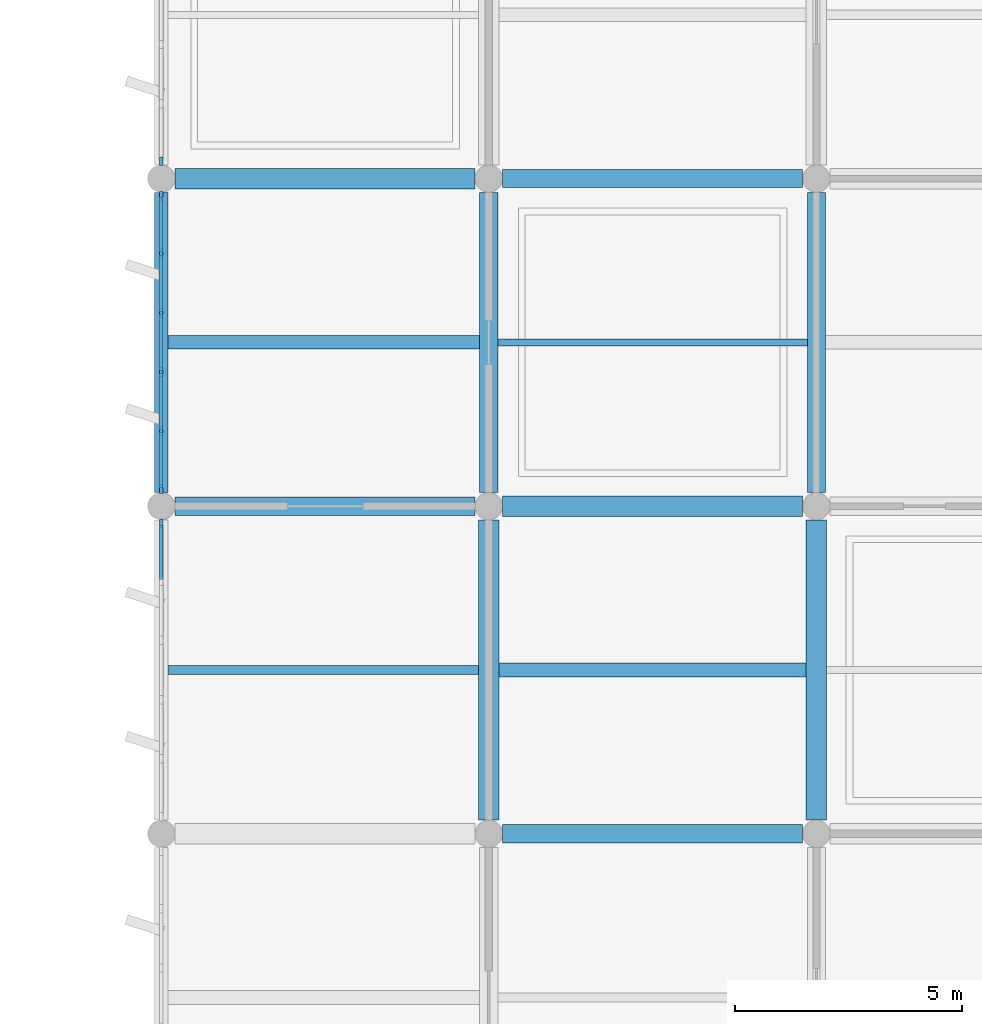
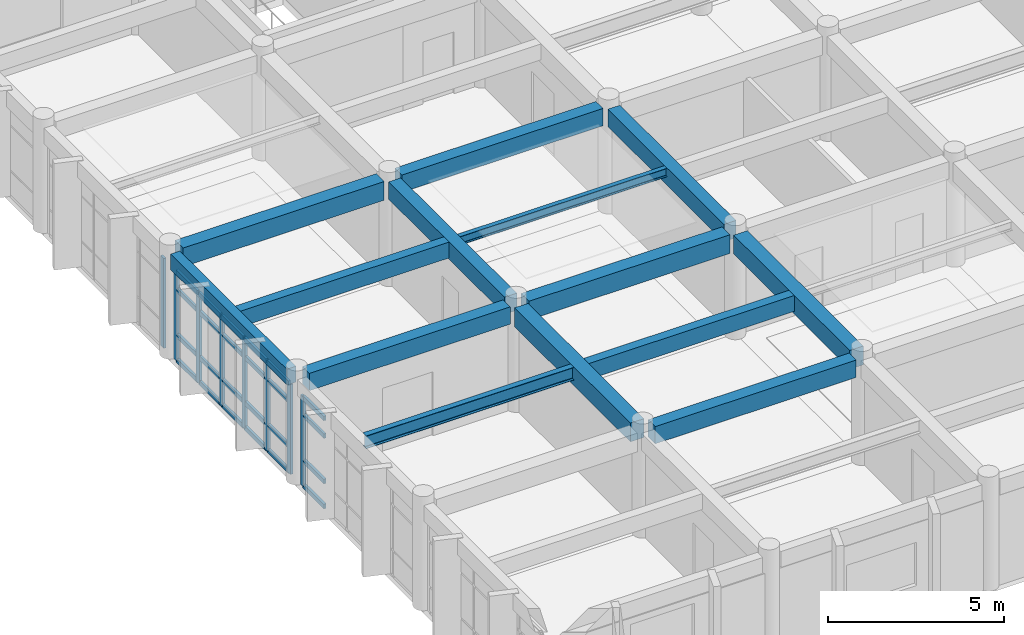
# One storey, part 3 of 16: 34 members, 12 beams, 3 elements without a shape of their own.
"""IFC4 building model written with IfcOpenShell, lengths in metres."""

from ifc_helpers import new_model, si_unit, direction, frame, origin, origin_2d, place, context, subcontext, project, spatial, rectangle, i_section, extrude, material, layer, layer_set, material_profile, profile_set, type_object, element, aggregate, save


model = new_model("IFC4")

# Units and contexts
model_context = context("Model", 3, precision=1e-05, world=origin(), true_north=direction((0.0, 1.0)))
body_context = subcontext(model_context, "Body", "Model", "MODEL_VIEW")
ifc_project = project(units=[si_unit("LENGTHUNIT", "METRE"), si_unit("AREAUNIT", "SQUARE_METRE"), si_unit("VOLUMEUNIT", "CUBIC_METRE"), si_unit("PLANEANGLEUNIT", "RADIAN"), si_unit("MASSUNIT", "GRAM", prefix="KILO")], contexts=[model_context])

# Site, building, storey
site_placement = place(None, origin())
site = spatial("IfcSite", under=ifc_project, at=site_placement, CompositionType="ELEMENT")
building_placement = place(site_placement, origin())
building = spatial("IfcBuilding", under=site, at=building_placement, Name="Kavelor Marine Aquarium", CompositionType="ELEMENT")
storey_placement = place(building_placement, frame((0.0, 0.0, 21.60009765625)))
storey = spatial("IfcBuildingStorey", under=building, at=storey_placement, Name="L05", CompositionType="ELEMENT", Elevation=21.60009765625)

# Beams
ifc_material_1 = material(Name="Concrete C40/50", Category="concrete")
ifc_material_profile_1 = material_profile(ifc_material_1, rectangle(XDim=0.449951171875, YDim=0.64990234375, at=origin_2d()), Name="RC-BM 450x650")
ifc_profile_set_1 = profile_set([ifc_material_profile_1], Name="Concrete C40/50")
beam_type_1 = type_object("IfcBeamType", Name="BM-B3", PredefinedType="BEAM", material=ifc_profile_set_1)
for number, where, z_axis, x_axis, name in (
    (1, (118.699951171875, 89.199951171875, 3.35498046875), (1.0, 0.0, 0.0), (0.0, 1.0, 0.0), "bm:x:L05:RF:16_12"),
    (2, (125.89990234375, 82.0, 3.35498046875), (1.0, 0.0, 0.0), (0.0, 1.0, 0.0), "bm:x:L05:RF:17_11"),
):
    element("IfcBeam", number, at=place(storey_placement, frame(where, z_axis=z_axis, x_axis=x_axis)), inside=storey, type_object=beam_type_1, Name=name, PredefinedType="BEAM", context=body_context, shape_type="SweptSolid", body=[
        extrude(rectangle(XDim=0.449951171875, YDim=0.64990234375, at=origin_2d()), origin(), (0.0, 0.0, 1.0), 6.60009765625),
    ])
for number, where, z_axis, x_axis, name in (
    (3, (125.60009765625, 75.10009765625, 3.35498046875), (0.0, 1.0, 0.0), (-1.0, 0.0, 0.0), "bm:y:L05:RF:17_10"),
    (4, (132.800048828125, 75.10009765625, 3.35498046875), (0.0, 1.0, 0.0), (-1.0, 0.0, 0.0), "bm:y:L05:RF:18_10"),
):
    element("IfcBeam", number, at=place(storey_placement, frame(where, z_axis=z_axis, x_axis=x_axis)), inside=storey, type_object=beam_type_1, Name=name, PredefinedType="BEAM", context=body_context, shape_type="SweptSolid", body=[
        extrude(rectangle(XDim=0.449951171875, YDim=0.64990234375, at=origin_2d()), origin(), (0.0, 0.0, 1.0), 6.599853515625),
    ])
ifc_material_2 = material(Name="Concrete C40/50", Category="concrete")
ifc_material_profile_2 = material_profile(ifc_material_2, rectangle(XDim=0.39990234375, YDim=0.60009765625, at=origin_2d()), Name="RC-BM 400x600")
ifc_profile_set_2 = profile_set([ifc_material_profile_2], Name="Concrete C40/50")
beam_type_2 = type_object("IfcBeamType", Name="BM-B4", PredefinedType="BEAM", material=ifc_profile_set_2)
for number, where, z_axis, x_axis, name in (
    (5, (118.699951171875, 82.0, 3.3798828125), (1.0, 0.0, 0.0), (0.0, 1.0, 0.0), "bm:x:L05:RF:16_11"),
    (6, (125.89990234375, 74.800048828125, 3.3798828125), (1.0, 0.0, 0.0), (0.0, 1.0, 0.0), "bm:x:L05:RF:17_10"),
    (7, (125.89990234375, 89.199951171875, 3.3798828125), (1.0, 0.0, 0.0), (0.0, 1.0, 0.0), "bm:x:L05:RF:17_12"),
):
    element("IfcBeam", number, at=place(storey_placement, frame(where, z_axis=z_axis, x_axis=x_axis)), inside=storey, type_object=beam_type_2, Name=name, PredefinedType="BEAM", context=body_context, shape_type="SweptSolid", body=[
        extrude(rectangle(XDim=0.39990234375, YDim=0.60009765625, at=origin_2d()), origin(), (0.0, 0.0, 1.0), 6.60009765625),
    ])
for number, where, z_axis, x_axis, name in (
    (8, (125.60009765625, 82.300048828125, 3.3798828125), (0.0, 1.0, 0.0), (-1.0, 0.0, 0.0), "bm:y:L05:RF:17_11"),
    (9, (132.800048828125, 82.300048828125, 3.3798828125), (0.0, 1.0, 0.0), (-1.0, 0.0, 0.0), "bm:y:L05:RF:18_11"),
):
    element("IfcBeam", number, at=place(storey_placement, frame(where, z_axis=z_axis, x_axis=x_axis)), inside=storey, type_object=beam_type_2, Name=name, PredefinedType="BEAM", context=body_context, shape_type="SweptSolid", body=[
        extrude(rectangle(XDim=0.39990234375, YDim=0.60009765625, at=origin_2d()), origin(), (0.0, 0.0, 1.0), 6.599853515625),
    ])
ifc_material_3 = material(Name="Concrete C40/50", Category="concrete")
ifc_material_profile_3 = material_profile(ifc_material_3, rectangle(XDim=0.300048828125, YDim=0.550048828125, at=origin_2d()), Name="RC-JS 300x550")
ifc_profile_set_3 = profile_set([ifc_material_profile_3], Name="Concrete C40/50")
beam_type_3 = type_object("IfcBeamType", Name="BM-JS2", PredefinedType="JOIST", material=ifc_profile_set_3)
beam_1_placement = place(storey_placement, frame((118.550048828125, 85.60009765625, 3.40478515625), z_axis=(1.0, 0.0, 0.0), x_axis=(0.0, 1.0, 0.0)))
element("IfcBeam", 10, at=beam_1_placement, inside=storey, type_object=beam_type_3, Name="js:L05:RF:16_11", PredefinedType="JOIST", context=body_context, shape_type="SweptSolid", body=[
    extrude(rectangle(XDim=0.300048828125, YDim=0.550048828125, at=origin_2d()), origin(), (0.0, 0.0, 1.0), 6.849853515625),
])
beam_2_placement = place(storey_placement, frame((125.824951171875, 78.39990234375, 3.40478515625), z_axis=(1.0, 0.0, 0.0), x_axis=(0.0, 1.0, 0.0)))
element("IfcBeam", 11, at=beam_2_placement, inside=storey, type_object=beam_type_3, Name="js:L05:RF:17_10", PredefinedType="JOIST", context=body_context, shape_type="SweptSolid", body=[
    extrude(rectangle(XDim=0.300048828125, YDim=0.550048828125, at=origin_2d()), origin(), (0.0, 0.0, 1.0), 6.75),
])
ifc_material_4 = material(Name="Concrete C40/50", Category="concrete")
ifc_material_profile_4 = material_profile(ifc_material_4, rectangle(XDim=0.300048828125, YDim=0.550048828125, at=origin_2d()), Name="RC-SP 300x550")
ifc_profile_set_4 = profile_set([ifc_material_profile_4], Name="Concrete C40/50")
beam_type_4 = type_object("IfcBeamType", Name="BM-SP2", PredefinedType="SPANDREL", material=ifc_profile_set_4)
beam_3_placement = place(storey_placement, frame((118.39990234375, 82.300048828125, 3.40478515625), z_axis=(0.0, 1.0, 0.0), x_axis=(-1.0, 0.0, 0.0)))
element("IfcBeam", 12, at=beam_3_placement, inside=storey, type_object=beam_type_4, Name="bm:y:L05:RF:16_11", PredefinedType="SPANDREL", context=body_context, shape_type="SweptSolid", body=[
    extrude(rectangle(XDim=0.300048828125, YDim=0.550048828125, at=origin_2d()), origin(), (0.0, 0.0, 1.0), 6.599853515625),
])

# Curtain wall, member
ifc_material_5 = material(Name="Thermally Broken Aluminium and Low-E Glass", Category="aluminium")
ifc_layer_1 = layer(ifc_material_5, 0.219970703125)
ifc_layer_set_1 = layer_set([ifc_layer_1], Name="CW-SYS10")
curtain_wall_type_1 = type_object("IfcCurtainWallType", Name="CW-SYS10", PredefinedType="USERDEFINED", material=ifc_layer_set_1)
curtain_wall_1_placement = place(storey_placement, origin())
curtain_wall_1 = element("IfcCurtainWall", 13, at=curtain_wall_1_placement, inside=storey, type_object=curtain_wall_type_1, Name="cw:y:L05:16_12", ObjectType="Curtain Wall", PredefinedType="USERDEFINED")
ifc_material_6 = material(Name="Anodised Aluminium Alloy 6063-T6", Category="aluminium")
ifc_material_profile_5 = material_profile(ifc_material_6, rectangle(XDim=0.074951171875, YDim=0.179931640625, at=origin_2d()), Name="CW-MUL 75x180")
ifc_profile_set_5 = profile_set([ifc_material_profile_5], Name="Anodised Aluminium Alloy 6063-T6")
member_type_1 = type_object("IfcMemberType", Name="CWM-1", PredefinedType="MULLION", material=ifc_profile_set_5)
member_1_placement = place(storey_placement, frame((118.39990234375, 89.58251953125, 0.0), z_axis=(0.0, 0.0, 1.0), x_axis=(1.0, 0.0, 0.0)))
member_1 = element("IfcMember", 14, at=member_1_placement, type_object=member_type_1, Name="CW10 mullion 6", PredefinedType="MULLION", context=body_context, shape_type="SweptSolid", body=[
    extrude(rectangle(XDim=0.074951171875, YDim=0.179931640625, at=origin_2d()), origin(), (0.0, 0.0, 1.0), 3.119873046875),
])
aggregate(curtain_wall_1, [member_1])

ifc_material_7 = material(Name="Thermally Broken Aluminium and Low-E Glass", Category="aluminium")
ifc_layer_2 = layer(ifc_material_7, 0.2041015625)
ifc_layer_set_2 = layer_set([ifc_layer_2], Name="CW-SYS8")
curtain_wall_type_2 = type_object("IfcCurtainWallType", Name="CW-SYS8", PredefinedType="USERDEFINED", material=ifc_layer_set_2)
curtain_wall_2_placement = place(storey_placement, origin())
curtain_wall_2 = element("IfcCurtainWall", 15, at=curtain_wall_2_placement, inside=storey, type_object=curtain_wall_type_2, Name="cw:y:L05:16_10", ObjectType="Curtain Wall", PredefinedType="USERDEFINED")
ifc_material_8 = material(Name="Anodised Aluminium Alloy 6063-T6", Category="aluminium")
ifc_material_profile_6 = material_profile(ifc_material_8, rectangle(XDim=0.080078125, YDim=0.18505859375, at=origin_2d()), Name="CW-MUL 80x185")
ifc_profile_set_6 = profile_set([ifc_material_profile_6], Name="Anodised Aluminium Alloy 6063-T6")
member_type_2 = type_object("IfcMemberType", Name="CWM-2", PredefinedType="MULLION", material=ifc_profile_set_6)
member_2_placement = place(storey_placement, frame((118.39990234375, 81.62255859375, 0.0), z_axis=(0.0, 0.0, 1.0), x_axis=(1.0, 0.0, 0.0)))
member_2 = element("IfcMember", 16, at=member_2_placement, type_object=member_type_2, Name="CW08 mullion 1", PredefinedType="MULLION", context=body_context, shape_type="SweptSolid", body=[
    extrude(rectangle(XDim=0.080078125, YDim=0.18505859375, at=origin_2d()), origin(), (0.0, 0.0, 1.0), 3.119873046875),
])

# Curtain wall, members
ifc_material_9 = material(Name="Thermally Broken Aluminium and Low-E Glass", Category="aluminium")
ifc_layer_3 = layer(ifc_material_9, 0.2119140625)
ifc_layer_set_3 = layer_set([ifc_layer_3], Name="CW-SYS9")
curtain_wall_type_3 = type_object("IfcCurtainWallType", Name="CW-SYS9", PredefinedType="USERDEFINED", material=ifc_layer_set_3)
curtain_wall_3_placement = place(storey_placement, origin())
curtain_wall_3 = element("IfcCurtainWall", 17, at=curtain_wall_3_placement, inside=storey, type_object=curtain_wall_type_3, Name="cw:y:L05:16_11", ObjectType="Curtain Wall", PredefinedType="USERDEFINED")
ifc_material_10 = material(Name="Anodised Aluminium Alloy 6063-T6", Category="aluminium")
ifc_material_profile_7 = material_profile(ifc_material_10, rectangle(XDim=0.0849609375, YDim=0.18994140625, at=origin_2d()), Name="CW-MUL 85x190")
ifc_profile_set_7 = profile_set([ifc_material_profile_7], Name="Anodised Aluminium Alloy 6063-T6")
member_type_3 = type_object("IfcMemberType", Name="CWM-3", PredefinedType="MULLION", material=ifc_profile_set_7)
member_3_placement = place(storey_placement, frame((118.39990234375, 88.824951171875, 0.0), z_axis=(0.0, 0.0, 1.0), x_axis=(1.0, 0.0, 0.0)))
member_3 = element("IfcMember", 18, at=member_3_placement, type_object=member_type_3, Name="CW09 mullion 1", PredefinedType="MULLION", context=body_context, shape_type="SweptSolid", body=[
    extrude(rectangle(XDim=0.0849609375, YDim=0.18994140625, at=origin_2d()), origin(), (0.0, 0.0, 1.0), 3.119873046875),
])
member_4_placement = place(storey_placement, frame((118.39990234375, 87.552978515625, 0.0), z_axis=(0.0, 0.0, 1.0), x_axis=(1.0, 0.0, 0.0)))
member_4 = element("IfcMember", 19, at=member_4_placement, type_object=member_type_3, Name="CW09 mullion 2", PredefinedType="MULLION", context=body_context, shape_type="SweptSolid", body=[
    extrude(rectangle(XDim=0.0849609375, YDim=0.18994140625, at=origin_2d()), origin(), (0.0, 0.0, 1.0), 3.119873046875),
])
member_5_placement = place(storey_placement, frame((118.39990234375, 86.2509765625, 0.0), z_axis=(0.0, 0.0, 1.0), x_axis=(1.0, 0.0, 0.0)))
member_5 = element("IfcMember", 20, at=member_5_placement, type_object=member_type_3, Name="CW09 mullion 3", PredefinedType="MULLION", context=body_context, shape_type="SweptSolid", body=[
    extrude(rectangle(XDim=0.0849609375, YDim=0.18994140625, at=origin_2d()), origin(), (0.0, 0.0, 1.0), 3.119873046875),
])
member_6_placement = place(storey_placement, frame((118.39990234375, 84.948974609375, 0.0), z_axis=(0.0, 0.0, 1.0), x_axis=(1.0, 0.0, 0.0)))
member_6 = element("IfcMember", 21, at=member_6_placement, type_object=member_type_3, Name="CW09 mullion 4", PredefinedType="MULLION", context=body_context, shape_type="SweptSolid", body=[
    extrude(rectangle(XDim=0.0849609375, YDim=0.18994140625, at=origin_2d()), origin(), (0.0, 0.0, 1.0), 3.119873046875),
])
member_7_placement = place(storey_placement, frame((118.39990234375, 83.64697265625, 0.0), z_axis=(0.0, 0.0, 1.0), x_axis=(1.0, 0.0, 0.0)))
member_7 = element("IfcMember", 22, at=member_7_placement, type_object=member_type_3, Name="CW09 mullion 5", PredefinedType="MULLION", context=body_context, shape_type="SweptSolid", body=[
    extrude(rectangle(XDim=0.0849609375, YDim=0.18994140625, at=origin_2d()), origin(), (0.0, 0.0, 1.0), 3.119873046875),
])
member_8_placement = place(storey_placement, frame((118.39990234375, 82.375, 0.0), z_axis=(0.0, 0.0, 1.0), x_axis=(1.0, 0.0, 0.0)))
member_8 = element("IfcMember", 23, at=member_8_placement, type_object=member_type_3, Name="CW09 mullion 6", PredefinedType="MULLION", context=body_context, shape_type="SweptSolid", body=[
    extrude(rectangle(XDim=0.0849609375, YDim=0.18994140625, at=origin_2d()), origin(), (0.0, 0.0, 1.0), 3.119873046875),
])

# Member
ifc_material_11 = material(Name="Anodised Aluminium Alloy 6063-T6", Category="aluminium")
ifc_material_profile_8 = material_profile(ifc_material_11, rectangle(XDim=0.080078125, YDim=0.155029296875, at=origin_2d()), Name="CW-TRN 80x155")
ifc_profile_set_8 = profile_set([ifc_material_profile_8], Name="Anodised Aluminium Alloy 6063-T6")
member_type_4 = type_object("IfcMemberType", Name="CWT-2", PredefinedType="USERDEFINED", material=ifc_profile_set_8)
member_9_placement = place(storey_placement, frame((118.39990234375, 81.590087890625, 0.032470703125), z_axis=(0.0, -1.0, 0.0), x_axis=(1.0, 0.0, 0.0)))
member_9 = element("IfcMember", 24, at=member_9_placement, type_object=member_type_4, Name="CW08 transom 1.1", ObjectType="TRANSOM", PredefinedType="USERDEFINED", context=body_context, shape_type="SweptSolid", body=[
    extrude(rectangle(XDim=0.080078125, YDim=0.155029296875, at=origin_2d()), origin(), (0.0, 0.0, 1.0), 1.20458984375),
])

member_10_placement = place(storey_placement, frame((118.39990234375, 81.590087890625, 0.89990234375), z_axis=(0.0, -1.0, 0.0), x_axis=(1.0, 0.0, 0.0)))
member_10 = element("IfcMember", 25, at=member_10_placement, type_object=member_type_4, Name="CW08 transom 1.2", ObjectType="TRANSOM", PredefinedType="USERDEFINED", context=body_context, shape_type="SweptSolid", body=[
    extrude(rectangle(XDim=0.080078125, YDim=0.155029296875, at=origin_2d()), origin(), (0.0, 0.0, 1.0), 1.20458984375),
])

member_11_placement = place(storey_placement, frame((118.39990234375, 81.590087890625, 2.469970703125), z_axis=(0.0, -1.0, 0.0), x_axis=(1.0, 0.0, 0.0)))
member_11 = element("IfcMember", 26, at=member_11_placement, type_object=member_type_4, Name="CW08 transom 1.3", ObjectType="TRANSOM", PredefinedType="USERDEFINED", context=body_context, shape_type="SweptSolid", body=[
    extrude(rectangle(XDim=0.080078125, YDim=0.155029296875, at=origin_2d()), origin(), (0.0, 0.0, 1.0), 1.20458984375),
])

member_12_placement = place(storey_placement, frame((118.39990234375, 81.590087890625, 3.08740234375), z_axis=(0.0, -1.0, 0.0), x_axis=(1.0, 0.0, 0.0)))
member_12 = element("IfcMember", 27, at=member_12_placement, type_object=member_type_4, Name="CW08 transom 1.4", ObjectType="TRANSOM", PredefinedType="USERDEFINED", context=body_context, shape_type="SweptSolid", body=[
    extrude(rectangle(XDim=0.080078125, YDim=0.155029296875, at=origin_2d()), origin(), (0.0, 0.0, 1.0), 1.20458984375),
])

aggregate(curtain_wall_2, [member_2, member_9, member_10, member_11, member_12])

member_13_placement = place(storey_placement, frame((118.39990234375, 88.794921875, 0.032470703125), z_axis=(0.0, -1.0, 0.0), x_axis=(1.0, 0.0, 0.0)))
member_13 = element("IfcMember", 28, at=member_13_placement, type_object=member_type_4, Name="CW09 transom 1.1", ObjectType="TRANSOM", PredefinedType="USERDEFINED", context=body_context, shape_type="SweptSolid", body=[
    extrude(rectangle(XDim=0.080078125, YDim=0.155029296875, at=origin_2d()), origin(), (0.0, 0.0, 1.0), 1.2119140625),
])

member_14_placement = place(storey_placement, frame((118.39990234375, 88.794921875, 0.89990234375), z_axis=(0.0, -1.0, 0.0), x_axis=(1.0, 0.0, 0.0)))
member_14 = element("IfcMember", 29, at=member_14_placement, type_object=member_type_4, Name="CW09 transom 1.2", ObjectType="TRANSOM", PredefinedType="USERDEFINED", context=body_context, shape_type="SweptSolid", body=[
    extrude(rectangle(XDim=0.080078125, YDim=0.155029296875, at=origin_2d()), origin(), (0.0, 0.0, 1.0), 1.2119140625),
])

member_15_placement = place(storey_placement, frame((118.39990234375, 88.794921875, 2.469970703125), z_axis=(0.0, -1.0, 0.0), x_axis=(1.0, 0.0, 0.0)))
member_15 = element("IfcMember", 30, at=member_15_placement, type_object=member_type_4, Name="CW09 transom 1.3", ObjectType="TRANSOM", PredefinedType="USERDEFINED", context=body_context, shape_type="SweptSolid", body=[
    extrude(rectangle(XDim=0.080078125, YDim=0.155029296875, at=origin_2d()), origin(), (0.0, 0.0, 1.0), 1.2119140625),
])

member_16_placement = place(storey_placement, frame((118.39990234375, 88.794921875, 3.08740234375), z_axis=(0.0, -1.0, 0.0), x_axis=(1.0, 0.0, 0.0)))
member_16 = element("IfcMember", 31, at=member_16_placement, type_object=member_type_4, Name="CW09 transom 1.4", ObjectType="TRANSOM", PredefinedType="USERDEFINED", context=body_context, shape_type="SweptSolid", body=[
    extrude(rectangle(XDim=0.080078125, YDim=0.155029296875, at=origin_2d()), origin(), (0.0, 0.0, 1.0), 1.2119140625),
])

member_17_placement = place(storey_placement, frame((118.39990234375, 87.52294921875, 0.032470703125), z_axis=(0.0, -1.0, 0.0), x_axis=(1.0, 0.0, 0.0)))
member_17 = element("IfcMember", 32, at=member_17_placement, type_object=member_type_4, Name="CW09 transom 2.1", ObjectType="TRANSOM", PredefinedType="USERDEFINED", context=body_context, shape_type="SweptSolid", body=[
    extrude(rectangle(XDim=0.080078125, YDim=0.155029296875, at=origin_2d()), origin(), (0.0, 0.0, 1.0), 1.241943359375),
])

member_18_placement = place(storey_placement, frame((118.39990234375, 87.52294921875, 0.89990234375), z_axis=(0.0, -1.0, 0.0), x_axis=(1.0, 0.0, 0.0)))
member_18 = element("IfcMember", 33, at=member_18_placement, type_object=member_type_4, Name="CW09 transom 2.2", ObjectType="TRANSOM", PredefinedType="USERDEFINED", context=body_context, shape_type="SweptSolid", body=[
    extrude(rectangle(XDim=0.080078125, YDim=0.155029296875, at=origin_2d()), origin(), (0.0, 0.0, 1.0), 1.241943359375),
])

member_19_placement = place(storey_placement, frame((118.39990234375, 87.52294921875, 2.469970703125), z_axis=(0.0, -1.0, 0.0), x_axis=(1.0, 0.0, 0.0)))
member_19 = element("IfcMember", 34, at=member_19_placement, type_object=member_type_4, Name="CW09 transom 2.3", ObjectType="TRANSOM", PredefinedType="USERDEFINED", context=body_context, shape_type="SweptSolid", body=[
    extrude(rectangle(XDim=0.080078125, YDim=0.155029296875, at=origin_2d()), origin(), (0.0, 0.0, 1.0), 1.241943359375),
])

member_20_placement = place(storey_placement, frame((118.39990234375, 87.52294921875, 3.08740234375), z_axis=(0.0, -1.0, 0.0), x_axis=(1.0, 0.0, 0.0)))
member_20 = element("IfcMember", 35, at=member_20_placement, type_object=member_type_4, Name="CW09 transom 2.4", ObjectType="TRANSOM", PredefinedType="USERDEFINED", context=body_context, shape_type="SweptSolid", body=[
    extrude(rectangle(XDim=0.080078125, YDim=0.155029296875, at=origin_2d()), origin(), (0.0, 0.0, 1.0), 1.241943359375),
])

member_21_placement = place(storey_placement, frame((118.39990234375, 86.220947265625, 0.032470703125), z_axis=(0.0, -1.0, 0.0), x_axis=(1.0, 0.0, 0.0)))
member_21 = element("IfcMember", 36, at=member_21_placement, type_object=member_type_4, Name="CW09 transom 3.1", ObjectType="TRANSOM", PredefinedType="USERDEFINED", context=body_context, shape_type="SweptSolid", body=[
    extrude(rectangle(XDim=0.080078125, YDim=0.155029296875, at=origin_2d()), origin(), (0.0, 0.0, 1.0), 1.241943359375),
])

member_22_placement = place(storey_placement, frame((118.39990234375, 86.220947265625, 0.89990234375), z_axis=(0.0, -1.0, 0.0), x_axis=(1.0, 0.0, 0.0)))
member_22 = element("IfcMember", 37, at=member_22_placement, type_object=member_type_4, Name="CW09 transom 3.2", ObjectType="TRANSOM", PredefinedType="USERDEFINED", context=body_context, shape_type="SweptSolid", body=[
    extrude(rectangle(XDim=0.080078125, YDim=0.155029296875, at=origin_2d()), origin(), (0.0, 0.0, 1.0), 1.241943359375),
])

member_23_placement = place(storey_placement, frame((118.39990234375, 86.220947265625, 2.469970703125), z_axis=(0.0, -1.0, 0.0), x_axis=(1.0, 0.0, 0.0)))
member_23 = element("IfcMember", 38, at=member_23_placement, type_object=member_type_4, Name="CW09 transom 3.3", ObjectType="TRANSOM", PredefinedType="USERDEFINED", context=body_context, shape_type="SweptSolid", body=[
    extrude(rectangle(XDim=0.080078125, YDim=0.155029296875, at=origin_2d()), origin(), (0.0, 0.0, 1.0), 1.241943359375),
])

member_24_placement = place(storey_placement, frame((118.39990234375, 86.220947265625, 3.08740234375), z_axis=(0.0, -1.0, 0.0), x_axis=(1.0, 0.0, 0.0)))
member_24 = element("IfcMember", 39, at=member_24_placement, type_object=member_type_4, Name="CW09 transom 3.4", ObjectType="TRANSOM", PredefinedType="USERDEFINED", context=body_context, shape_type="SweptSolid", body=[
    extrude(rectangle(XDim=0.080078125, YDim=0.155029296875, at=origin_2d()), origin(), (0.0, 0.0, 1.0), 1.241943359375),
])

member_25_placement = place(storey_placement, frame((118.39990234375, 84.9189453125, 0.032470703125), z_axis=(0.0, -1.0, 0.0), x_axis=(1.0, 0.0, 0.0)))
member_25 = element("IfcMember", 40, at=member_25_placement, type_object=member_type_4, Name="CW09 transom 4.1", ObjectType="TRANSOM", PredefinedType="USERDEFINED", context=body_context, shape_type="SweptSolid", body=[
    extrude(rectangle(XDim=0.080078125, YDim=0.155029296875, at=origin_2d()), origin(), (0.0, 0.0, 1.0), 1.241943359375),
])

member_26_placement = place(storey_placement, frame((118.39990234375, 84.9189453125, 0.89990234375), z_axis=(0.0, -1.0, 0.0), x_axis=(1.0, 0.0, 0.0)))
member_26 = element("IfcMember", 41, at=member_26_placement, type_object=member_type_4, Name="CW09 transom 4.2", ObjectType="TRANSOM", PredefinedType="USERDEFINED", context=body_context, shape_type="SweptSolid", body=[
    extrude(rectangle(XDim=0.080078125, YDim=0.155029296875, at=origin_2d()), origin(), (0.0, 0.0, 1.0), 1.241943359375),
])

member_27_placement = place(storey_placement, frame((118.39990234375, 84.9189453125, 2.469970703125), z_axis=(0.0, -1.0, 0.0), x_axis=(1.0, 0.0, 0.0)))
member_27 = element("IfcMember", 42, at=member_27_placement, type_object=member_type_4, Name="CW09 transom 4.3", ObjectType="TRANSOM", PredefinedType="USERDEFINED", context=body_context, shape_type="SweptSolid", body=[
    extrude(rectangle(XDim=0.080078125, YDim=0.155029296875, at=origin_2d()), origin(), (0.0, 0.0, 1.0), 1.241943359375),
])

member_28_placement = place(storey_placement, frame((118.39990234375, 84.9189453125, 3.08740234375), z_axis=(0.0, -1.0, 0.0), x_axis=(1.0, 0.0, 0.0)))
member_28 = element("IfcMember", 43, at=member_28_placement, type_object=member_type_4, Name="CW09 transom 4.4", ObjectType="TRANSOM", PredefinedType="USERDEFINED", context=body_context, shape_type="SweptSolid", body=[
    extrude(rectangle(XDim=0.080078125, YDim=0.155029296875, at=origin_2d()), origin(), (0.0, 0.0, 1.0), 1.241943359375),
])

member_29_placement = place(storey_placement, frame((118.39990234375, 83.616943359375, 0.032470703125), z_axis=(0.0, -1.0, 0.0), x_axis=(1.0, 0.0, 0.0)))
member_29 = element("IfcMember", 44, at=member_29_placement, type_object=member_type_4, Name="CW09 transom 5.1", ObjectType="TRANSOM", PredefinedType="USERDEFINED", context=body_context, shape_type="SweptSolid", body=[
    extrude(rectangle(XDim=0.080078125, YDim=0.155029296875, at=origin_2d()), origin(), (0.0, 0.0, 1.0), 1.2119140625),
])

member_30_placement = place(storey_placement, frame((118.39990234375, 83.616943359375, 0.89990234375), z_axis=(0.0, -1.0, 0.0), x_axis=(1.0, 0.0, 0.0)))
member_30 = element("IfcMember", 45, at=member_30_placement, type_object=member_type_4, Name="CW09 transom 5.2", ObjectType="TRANSOM", PredefinedType="USERDEFINED", context=body_context, shape_type="SweptSolid", body=[
    extrude(rectangle(XDim=0.080078125, YDim=0.155029296875, at=origin_2d()), origin(), (0.0, 0.0, 1.0), 1.2119140625),
])

member_31_placement = place(storey_placement, frame((118.39990234375, 83.616943359375, 2.469970703125), z_axis=(0.0, -1.0, 0.0), x_axis=(1.0, 0.0, 0.0)))
member_31 = element("IfcMember", 46, at=member_31_placement, type_object=member_type_4, Name="CW09 transom 5.3", ObjectType="TRANSOM", PredefinedType="USERDEFINED", context=body_context, shape_type="SweptSolid", body=[
    extrude(rectangle(XDim=0.080078125, YDim=0.155029296875, at=origin_2d()), origin(), (0.0, 0.0, 1.0), 1.2119140625),
])

member_32_placement = place(storey_placement, frame((118.39990234375, 83.616943359375, 3.08740234375), z_axis=(0.0, -1.0, 0.0), x_axis=(1.0, 0.0, 0.0)))
member_32 = element("IfcMember", 47, at=member_32_placement, type_object=member_type_4, Name="CW09 transom 5.4", ObjectType="TRANSOM", PredefinedType="USERDEFINED", context=body_context, shape_type="SweptSolid", body=[
    extrude(rectangle(XDim=0.080078125, YDim=0.155029296875, at=origin_2d()), origin(), (0.0, 0.0, 1.0), 1.2119140625),
])

aggregate(curtain_wall_3, [member_3, member_4, member_5, member_6, member_7, member_8, member_13, member_14, member_15, member_16, member_17, member_18, member_19, member_20, member_21, member_22, member_23, member_24, member_25, member_26, member_27, member_28, member_29, member_30, member_31, member_32])

# Members
ifc_material_12 = material(Name="Steel S355", Category="steel")
ifc_material_profile_9 = material_profile(ifc_material_12, i_section(OverallWidth=0.18994140625, OverallDepth=0.449951171875, WebThickness=0.009521484375, FlangeThickness=0.0146484375, FilletRadius=0.02099609375, at=origin_2d()), Name="IPE 450")
ifc_profile_set_9 = profile_set([ifc_material_profile_9], Name="Steel S355")
member_type_5 = type_object("IfcMemberType", Name="PR-SJ2", PredefinedType="PURLIN", material=ifc_profile_set_9)
member_33_placement = place(storey_placement, frame((118.550048828125, 78.39990234375, 3.454833984375), z_axis=(1.0, 0.0, 0.0), x_axis=(0.0, 1.0, 0.0)))
element("IfcMember", 48, at=member_33_placement, inside=storey, type_object=member_type_5, Name="js:L05:RF:16_10", PredefinedType="PURLIN", context=body_context, shape_type="SweptSolid", body=[
    extrude(i_section(OverallWidth=0.18994140625, OverallDepth=0.449951171875, WebThickness=0.009521484375, FlangeThickness=0.0146484375, FilletRadius=0.02099609375, at=origin_2d()), origin(), (0.0, 0.0, 1.0), 6.824951171875),
])
ifc_material_13 = material(Name="Steel S355", Category="steel")
ifc_material_profile_10 = material_profile(ifc_material_13, i_section(OverallWidth=0.14990234375, OverallDepth=0.300048828125, WebThickness=0.007080078125, FlangeThickness=0.0107421875, FilletRadius=0.014892578125, at=origin_2d()), Name="IPE 300")
ifc_profile_set_10 = profile_set([ifc_material_profile_10], Name="Steel S355")
member_type_6 = type_object("IfcMemberType", Name="PR-SJ4", PredefinedType="PURLIN", material=ifc_profile_set_10)
member_34_placement = place(storey_placement, frame((125.800048828125, 85.60009765625, 3.52978515625), z_axis=(1.0, 0.0, 0.0), x_axis=(0.0, 1.0, 0.0)))
element("IfcMember", 49, at=member_34_placement, inside=storey, type_object=member_type_6, Name="js:L05:RF:17_11", PredefinedType="PURLIN", context=body_context, shape_type="SweptSolid", body=[
    extrude(i_section(OverallWidth=0.14990234375, OverallDepth=0.300048828125, WebThickness=0.007080078125, FlangeThickness=0.0107421875, FilletRadius=0.014892578125, at=origin_2d()), origin(), (0.0, 0.0, 1.0), 6.800048828125),
])

save(model, "model.ifc")
